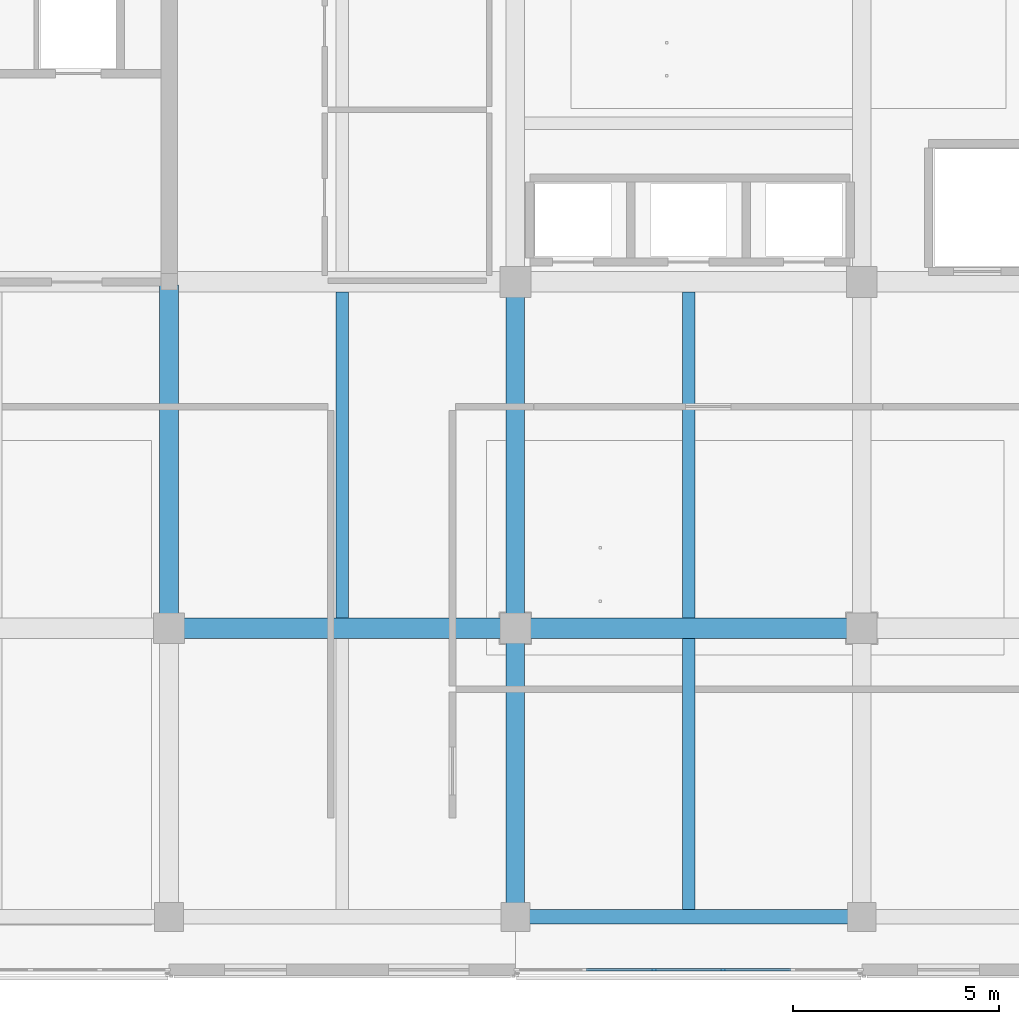
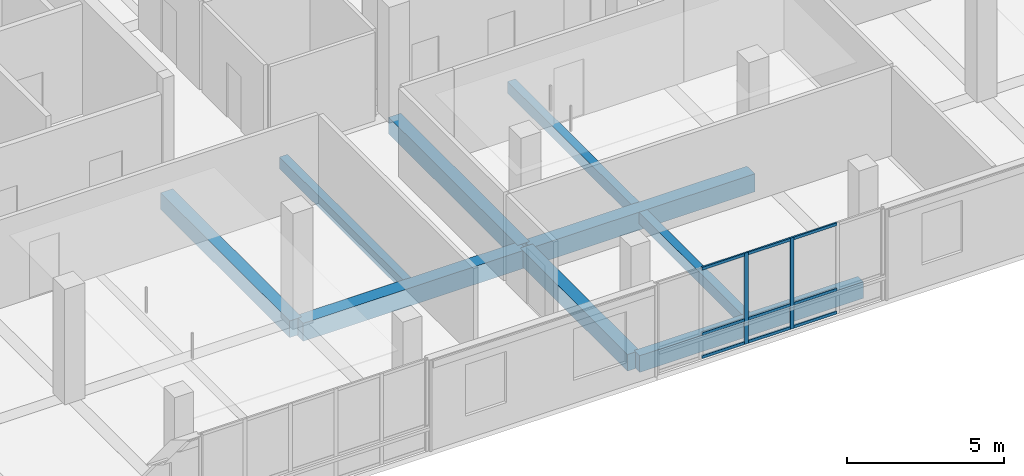
# One storey, part 3 of 35: 11 members, 9 beams, 1 element without a shape of its own.
"""IFC4 building model written with IfcOpenShell, lengths in metres."""

from ifc_helpers import new_model, si_unit, direction, frame, origin, origin_2d, place, context, subcontext, project, spatial, rectangle, extrude, material, layer, layer_set, material_profile, profile_set, type_object, element, aggregate, save


model = new_model("IFC4")

# Units and contexts
model_context = context("Model", 3, precision=1e-05, world=origin(), true_north=direction((0.0, 1.0)))
body_context = subcontext(model_context, "Body", "Model", "MODEL_VIEW")
ifc_project = project(units=[si_unit("LENGTHUNIT", "METRE"), si_unit("AREAUNIT", "SQUARE_METRE"), si_unit("VOLUMEUNIT", "CUBIC_METRE"), si_unit("PLANEANGLEUNIT", "RADIAN"), si_unit("MASSUNIT", "GRAM", prefix="KILO")], contexts=[model_context])

# Site, building, storey
site_placement = place(None, origin())
site = spatial("IfcSite", under=ifc_project, at=site_placement, CompositionType="ELEMENT")
building_placement = place(site_placement, origin())
building = spatial("IfcBuilding", under=site, at=building_placement, Name="Telukmera Botanical Conservatory", CompositionType="ELEMENT")
storey_placement = place(building_placement, frame((0.0, 0.0, 46.5)))
storey = spatial("IfcBuildingStorey", under=building, at=storey_placement, Name="L10", CompositionType="ELEMENT", Elevation=46.5)

# Beams
ifc_material_1 = material(Name="Concrete C40/50", Category="concrete")
ifc_material_profile_1 = material_profile(ifc_material_1, rectangle(XDim=0.5, YDim=0.699951171875, at=origin_2d()), Name="RC 500x700")
ifc_profile_set_1 = profile_set([ifc_material_profile_1], Name="Concrete C40/50")
beam_type_1 = type_object("IfcBeamType", Name="Beam_B14", PredefinedType="BEAM", material=ifc_profile_set_1)
for number, where, z_axis, x_axis, name in (
    (1, (67.280029296875, 17.60009765625, -0.35009765625), (1.0, 0.0, 0.0), (0.0, 1.0, 0.0), "Tower Grid Beam L10"),
    (2, (75.679931640625, 17.60009765625, -0.35009765625), (1.0, 0.0, 0.0), (0.0, 1.0, 0.0), "Tower Grid Beam L10"),
):
    element("IfcBeam", number, at=place(storey_placement, frame(where, z_axis=z_axis, x_axis=x_axis)), inside=storey, type_object=beam_type_1, Name=name, PredefinedType="BEAM", context=body_context, shape_type="SweptSolid", body=[
        extrude(rectangle(XDim=0.5, YDim=0.699951171875, at=origin_2d()), origin(), (0.0, 0.0, 1.0), 8.239990234375),
    ])
ifc_material_profile_2 = material_profile(ifc_material_1, rectangle(XDim=0.449951171875, YDim=0.64990234375, at=origin_2d()), Name="RC 450x650")
ifc_profile_set_2 = profile_set([ifc_material_profile_2], Name="Concrete C40/50")
beam_type_2 = type_object("IfcBeamType", Name="Beam_B16", PredefinedType="BEAM", material=ifc_profile_set_2)
beam_1_placement = place(storey_placement, frame((67.199951171875, 17.679931640625, -0.324951171875), z_axis=(0.0, 1.0, 0.0), x_axis=(-1.0, 0.0, 0.0)))
element("IfcBeam", 3, at=beam_1_placement, inside=storey, type_object=beam_type_2, Name="Tower Transverse Beam L10", PredefinedType="BEAM", context=body_context, shape_type="SweptSolid", body=[
    extrude(rectangle(XDim=0.449951171875, YDim=0.64990234375, at=origin_2d()), origin(), (0.0, 0.0, 1.0), 8.239990234375),
])
beam_2_placement = place(storey_placement, frame((75.60009765625, 10.679931640625, -0.324951171875), z_axis=(0.0, 1.0, 0.0), x_axis=(-1.0, 0.0, 0.0)))
element("IfcBeam", 4, at=beam_2_placement, inside=storey, type_object=beam_type_2, Name="Tower Transverse Beam L10", PredefinedType="BEAM", context=body_context, shape_type="SweptSolid", body=[
    extrude(rectangle(XDim=0.449951171875, YDim=0.64990234375, at=origin_2d()), origin(), (0.0, 0.0, 1.0), 6.840087890625),
])
beam_3_placement = place(storey_placement, frame((75.60009765625, 17.679931640625, -0.324951171875), z_axis=(0.0, 1.0, 0.0), x_axis=(-1.0, 0.0, 0.0)))
element("IfcBeam", 5, at=beam_3_placement, inside=storey, type_object=beam_type_2, Name="Tower Transverse Beam L10", PredefinedType="BEAM", context=body_context, shape_type="SweptSolid", body=[
    extrude(rectangle(XDim=0.449951171875, YDim=0.64990234375, at=origin_2d()), origin(), (0.0, 0.0, 1.0), 8.239990234375),
])
ifc_material_profile_3 = material_profile(ifc_material_1, rectangle(XDim=0.300048828125, YDim=0.449951171875, at=origin_2d()), Name="RC 300x450")
ifc_profile_set_3 = profile_set([ifc_material_profile_3], Name="Concrete C40/50")
beam_type_3 = type_object("IfcBeamType", Name="Beam_B25", PredefinedType="JOIST", material=ifc_profile_set_3)
beam_4_placement = place(storey_placement, frame((71.39990234375, 17.85009765625, -0.22509765625), z_axis=(0.0, 1.0, 0.0), x_axis=(-1.0, 0.0, 0.0)))
element("IfcBeam", 6, at=beam_4_placement, inside=storey, type_object=beam_type_3, Name="Tower Secondary Floor Joist L10", PredefinedType="JOIST", context=body_context, shape_type="SweptSolid", body=[
    extrude(rectangle(XDim=0.300048828125, YDim=0.449951171875, at=origin_2d()), origin(), (0.0, 0.0, 1.0), 7.89990234375),
])
beam_5_placement = place(storey_placement, frame((79.800048828125, 10.77490234375, -0.22509765625), z_axis=(0.0, 1.0, 0.0), x_axis=(-1.0, 0.0, 0.0)))
element("IfcBeam", 7, at=beam_5_placement, inside=storey, type_object=beam_type_3, Name="Tower Secondary Floor Joist L10", PredefinedType="JOIST", context=body_context, shape_type="SweptSolid", body=[
    extrude(rectangle(XDim=0.300048828125, YDim=0.449951171875, at=origin_2d()), origin(), (0.0, 0.0, 1.0), 6.5751953125),
])
beam_6_placement = place(storey_placement, frame((79.800048828125, 17.85009765625, -0.22509765625), z_axis=(0.0, 1.0, 0.0), x_axis=(-1.0, 0.0, 0.0)))
element("IfcBeam", 8, at=beam_6_placement, inside=storey, type_object=beam_type_3, Name="Tower Secondary Floor Joist L10", PredefinedType="JOIST", context=body_context, shape_type="SweptSolid", body=[
    extrude(rectangle(XDim=0.300048828125, YDim=0.449951171875, at=origin_2d()), origin(), (0.0, 0.0, 1.0), 7.89990234375),
])
ifc_material_2 = material(Name="Precast concrete C40/50", Category="concrete")
ifc_material_profile_4 = material_profile(ifc_material_2, rectangle(XDim=0.35009765625, YDim=0.64990234375, at=origin_2d()), Name="PC 350x650")
ifc_profile_set_4 = profile_set([ifc_material_profile_4], Name="Precast concrete C40/50")
beam_type_4 = type_object("IfcBeamType", Name="Beam_SP3", PredefinedType="SPANDREL", material=ifc_profile_set_4)
beam_7_placement = place(storey_placement, frame((75.679931640625, 10.60009765625, -0.324951171875), z_axis=(1.0, 0.0, 0.0), x_axis=(0.0, 1.0, 0.0)))
element("IfcBeam", 9, at=beam_7_placement, inside=storey, type_object=beam_type_4, Name="Tower Grid Beam L10", PredefinedType="SPANDREL", context=body_context, shape_type="SweptSolid", body=[
    extrude(rectangle(XDim=0.35009765625, YDim=0.64990234375, at=origin_2d()), origin(), (0.0, 0.0, 1.0), 8.239990234375),
])

# Curtain wall, members
ifc_material_3 = material(Name="Anodised aluminium 6063-T6", Category="aluminium")
ifc_layer = layer(ifc_material_3, 0.179931640625)
ifc_layer_set = layer_set([ifc_layer], Name="Anodised aluminium 6063-T6")
curtain_wall_type = type_object("IfcCurtainWallType", Name="Tower Research Laboratory Unitised Curtain Wall", PredefinedType="USERDEFINED", material=ifc_layer_set)
curtain_wall_placement = place(storey_placement, origin())
curtain_wall = element("IfcCurtainWall", 10, at=curtain_wall_placement, inside=storey, type_object=curtain_wall_type, Name="Unitised Curtain Wall CW15 V4:L10:S4", ObjectType="UNITISED CURTAIN WALL", PredefinedType="USERDEFINED")
ifc_material_profile_5 = material_profile(ifc_material_3, rectangle(XDim=0.06005859375, YDim=0.139892578125, at=origin_2d()), Name="ALU MULL 60x140")
ifc_profile_set_5 = profile_set([ifc_material_profile_5], Name="Anodised aluminium 6063-T6")
member_type_1 = type_object("IfcMemberType", Name="Curtain Wall Extruded Mullion 60x140", PredefinedType="MULLION", material=ifc_profile_set_5)
member_1_placement = place(storey_placement, frame((78.96044921875, 9.320068359375, 0.0), z_axis=(0.0, 0.0, 1.0), x_axis=(0.0, 1.0, 0.0)))
member_1 = element("IfcMember", 11, at=member_1_placement, type_object=member_type_1, Name="CW15 mullion 3", PredefinedType="MULLION", context=body_context, shape_type="SweptSolid", body=[
    extrude(rectangle(XDim=0.06005859375, YDim=0.139892578125, at=origin_2d()), origin(), (0.0, 0.0, 1.0), 3.550048828125),
])
member_2_placement = place(storey_placement, frame((80.6396484375, 9.320068359375, 0.0), z_axis=(0.0, 0.0, 1.0), x_axis=(0.0, 1.0, 0.0)))
member_2 = element("IfcMember", 12, at=member_2_placement, type_object=member_type_1, Name="CW15 mullion 4", PredefinedType="MULLION", context=body_context, shape_type="SweptSolid", body=[
    extrude(rectangle(XDim=0.06005859375, YDim=0.139892578125, at=origin_2d()), origin(), (0.0, 0.0, 1.0), 3.550048828125),
])
ifc_material_profile_6 = material_profile(ifc_material_3, rectangle(XDim=0.06005859375, YDim=0.110107421875, at=origin_2d()), Name="ALU TRAN 60x110")
ifc_profile_set_6 = profile_set([ifc_material_profile_6], Name="Anodised aluminium 6063-T6")
member_type_2 = type_object("IfcMemberType", Name="Curtain Wall Extruded Transom 60x110", PredefinedType="USERDEFINED", material=ifc_profile_set_6)
member_3_placement = place(storey_placement, frame((77.311279296875, 9.320068359375, 0.054931640625), z_axis=(1.0, 0.0, 0.0), x_axis=(0.0, 1.0, 0.0)))
member_3 = element("IfcMember", 13, at=member_3_placement, type_object=member_type_2, Name="CW15 transom 2.1", ObjectType="TRANSOM", PredefinedType="USERDEFINED", context=body_context, shape_type="SweptSolid", body=[
    extrude(rectangle(XDim=0.06005859375, YDim=0.110107421875, at=origin_2d()), origin(), (0.0, 0.0, 1.0), 1.619140625),
])
member_4_placement = place(storey_placement, frame((77.311279296875, 9.320068359375, 0.949951171875), z_axis=(1.0, 0.0, 0.0), x_axis=(0.0, 1.0, 0.0)))
member_4 = element("IfcMember", 14, at=member_4_placement, type_object=member_type_2, Name="CW15 transom 2.2", ObjectType="TRANSOM", PredefinedType="USERDEFINED", context=body_context, shape_type="SweptSolid", body=[
    extrude(rectangle(XDim=0.06005859375, YDim=0.110107421875, at=origin_2d()), origin(), (0.0, 0.0, 1.0), 1.619140625),
])
member_5_placement = place(storey_placement, frame((77.311279296875, 9.320068359375, 3.4951171875), z_axis=(1.0, 0.0, 0.0), x_axis=(0.0, 1.0, 0.0)))
member_5 = element("IfcMember", 15, at=member_5_placement, type_object=member_type_2, Name="CW15 transom 2.3", ObjectType="TRANSOM", PredefinedType="USERDEFINED", context=body_context, shape_type="SweptSolid", body=[
    extrude(rectangle(XDim=0.06005859375, YDim=0.110107421875, at=origin_2d()), origin(), (0.0, 0.0, 1.0), 1.619140625),
])
member_6_placement = place(storey_placement, frame((78.990478515625, 9.320068359375, 0.054931640625), z_axis=(1.0, 0.0, 0.0), x_axis=(0.0, 1.0, 0.0)))
member_6 = element("IfcMember", 16, at=member_6_placement, type_object=member_type_2, Name="CW15 transom 3.1", ObjectType="TRANSOM", PredefinedType="USERDEFINED", context=body_context, shape_type="SweptSolid", body=[
    extrude(rectangle(XDim=0.06005859375, YDim=0.110107421875, at=origin_2d()), origin(), (0.0, 0.0, 1.0), 1.619140625),
])
member_7_placement = place(storey_placement, frame((78.990478515625, 9.320068359375, 0.949951171875), z_axis=(1.0, 0.0, 0.0), x_axis=(0.0, 1.0, 0.0)))
member_7 = element("IfcMember", 17, at=member_7_placement, type_object=member_type_2, Name="CW15 transom 3.2", ObjectType="TRANSOM", PredefinedType="USERDEFINED", context=body_context, shape_type="SweptSolid", body=[
    extrude(rectangle(XDim=0.06005859375, YDim=0.110107421875, at=origin_2d()), origin(), (0.0, 0.0, 1.0), 1.619140625),
])
member_8_placement = place(storey_placement, frame((78.990478515625, 9.320068359375, 3.4951171875), z_axis=(1.0, 0.0, 0.0), x_axis=(0.0, 1.0, 0.0)))
member_8 = element("IfcMember", 18, at=member_8_placement, type_object=member_type_2, Name="CW15 transom 3.3", ObjectType="TRANSOM", PredefinedType="USERDEFINED", context=body_context, shape_type="SweptSolid", body=[
    extrude(rectangle(XDim=0.06005859375, YDim=0.110107421875, at=origin_2d()), origin(), (0.0, 0.0, 1.0), 1.619140625),
])
member_9_placement = place(storey_placement, frame((80.669677734375, 9.320068359375, 0.054931640625), z_axis=(1.0, 0.0, 0.0), x_axis=(0.0, 1.0, 0.0)))
member_9 = element("IfcMember", 19, at=member_9_placement, type_object=member_type_2, Name="CW15 transom 4.1", ObjectType="TRANSOM", PredefinedType="USERDEFINED", context=body_context, shape_type="SweptSolid", body=[
    extrude(rectangle(XDim=0.06005859375, YDim=0.110107421875, at=origin_2d()), origin(), (0.0, 0.0, 1.0), 1.619140625),
])
member_10_placement = place(storey_placement, frame((80.669677734375, 9.320068359375, 0.949951171875), z_axis=(1.0, 0.0, 0.0), x_axis=(0.0, 1.0, 0.0)))
member_10 = element("IfcMember", 20, at=member_10_placement, type_object=member_type_2, Name="CW15 transom 4.2", ObjectType="TRANSOM", PredefinedType="USERDEFINED", context=body_context, shape_type="SweptSolid", body=[
    extrude(rectangle(XDim=0.06005859375, YDim=0.110107421875, at=origin_2d()), origin(), (0.0, 0.0, 1.0), 1.619140625),
])
member_11_placement = place(storey_placement, frame((80.669677734375, 9.320068359375, 3.4951171875), z_axis=(1.0, 0.0, 0.0), x_axis=(0.0, 1.0, 0.0)))
member_11 = element("IfcMember", 21, at=member_11_placement, type_object=member_type_2, Name="CW15 transom 4.3", ObjectType="TRANSOM", PredefinedType="USERDEFINED", context=body_context, shape_type="SweptSolid", body=[
    extrude(rectangle(XDim=0.06005859375, YDim=0.110107421875, at=origin_2d()), origin(), (0.0, 0.0, 1.0), 1.619140625),
])
aggregate(curtain_wall, [member_1, member_2, member_3, member_4, member_5, member_6, member_7, member_8, member_9, member_10, member_11])

save(model, "model.ifc")
